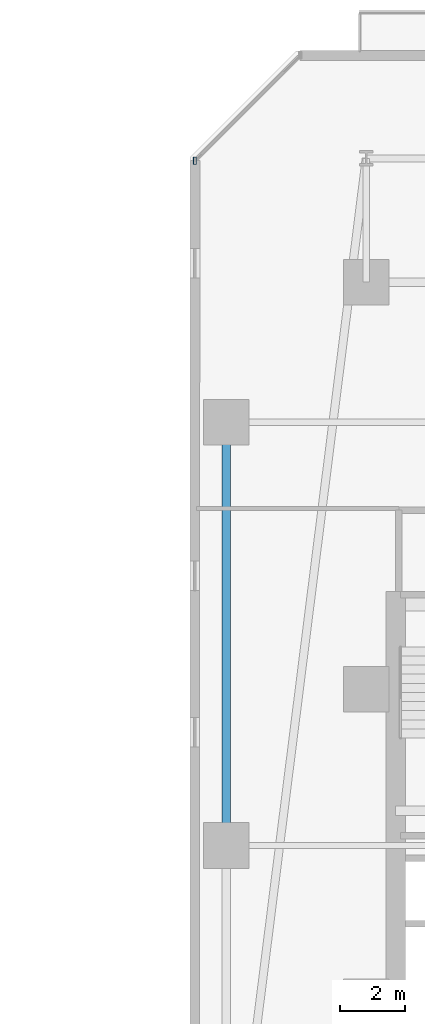
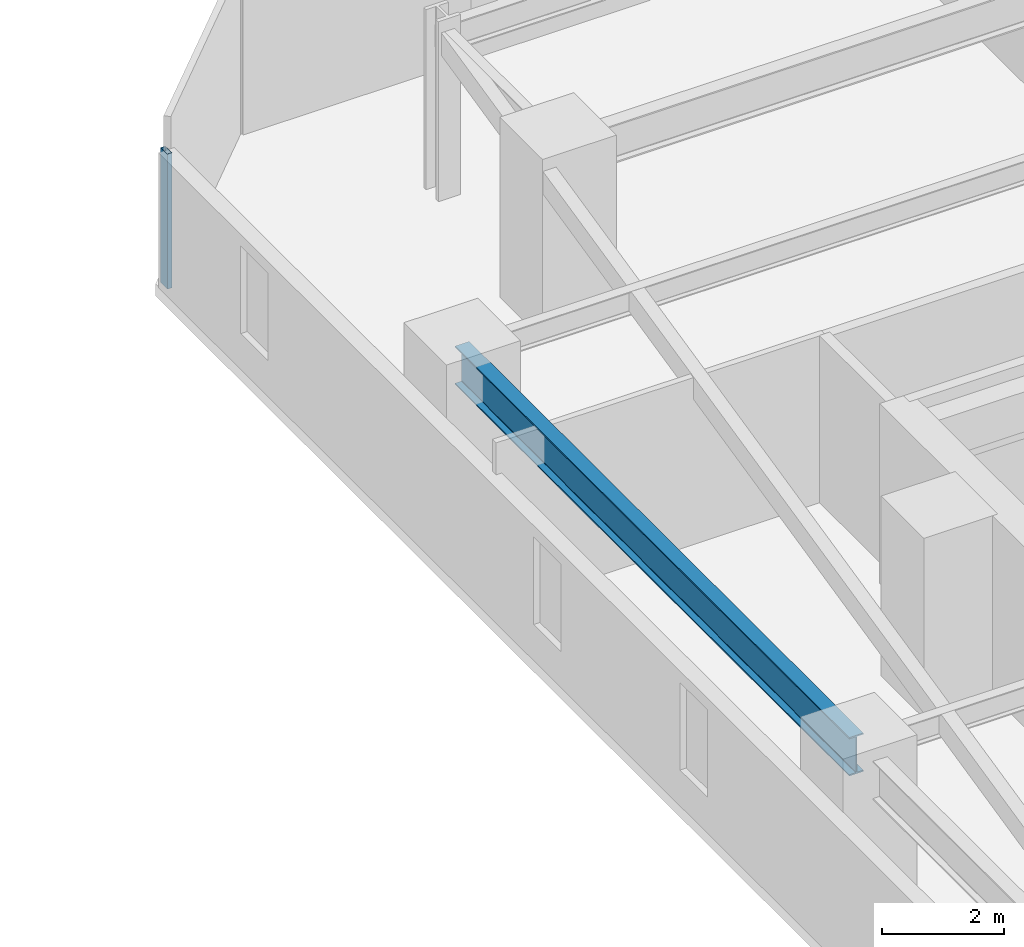
# One storey, part 11 of 34: 1 beam, 1 member, 1 element without a shape of its own.
"""IFC4 building model written with IfcOpenShell, lengths in metres."""

from ifc_helpers import new_model, si_unit, direction, frame, origin, origin_2d, place, context, subcontext, project, spatial, hollow_rectangle, i_section, extrude, material, material_profile, profile_set, type_object, element, aggregate, save


model = new_model("IFC4")

# Units and contexts
model_context = context("Model", 3, precision=1e-05, world=origin(), true_north=direction((0.0, 1.0)))
body_context = subcontext(model_context, "Body", "Model", "MODEL_VIEW")
ifc_project = project(units=[si_unit("LENGTHUNIT", "METRE"), si_unit("AREAUNIT", "SQUARE_METRE"), si_unit("VOLUMEUNIT", "CUBIC_METRE"), si_unit("PLANEANGLEUNIT", "RADIAN"), si_unit("MASSUNIT", "GRAM", prefix="KILO")], contexts=[model_context])

# Site, building, storey
site_placement = place(None, origin())
site = spatial("IfcSite", under=ifc_project, at=site_placement, CompositionType="ELEMENT")
building_placement = place(site_placement, origin())
building = spatial("IfcBuilding", under=site, at=building_placement, Name="Thornwick Lancets Civic Towers", CompositionType="ELEMENT")
storey_placement = place(building_placement, frame((0.0, 0.0, 60.89990234375)))
storey = spatial("IfcBuildingStorey", under=building, at=storey_placement, Name="L15", CompositionType="ELEMENT", Elevation=60.89990234375)

# Beam
ifc_material_1 = material(Name="Steel S355JR", Category="steel")
ifc_material_profile_1 = material_profile(ifc_material_1, i_section(OverallWidth=0.26806640625, OverallDepth=0.769775390625, WebThickness=0.015625, FlangeThickness=0.025390625, FilletRadius=0.0166015625, at=origin_2d()), Name="UKB 762x267x197")
ifc_profile_set_1 = profile_set([ifc_material_profile_1], Name="Steel S355JR")
beam_type = type_object("IfcBeamType", Name="BM_GIRD_762_197", PredefinedType="BEAM", material=ifc_profile_set_1)
beam_placement = place(storey_placement, frame((71.199951171875, 27.080078125, 2.97509765625), z_axis=(0.0, 1.0, 0.0), x_axis=(-1.0, 0.0, 0.0)))
element("IfcBeam", 1, at=beam_placement, inside=storey, type_object=beam_type, Name="BM-SPINE-L15-B-7-8", PredefinedType="BEAM", context=body_context, shape_type="SweptSolid", body=[
    extrude(i_section(OverallWidth=0.26806640625, OverallDepth=0.769775390625, WebThickness=0.015625, FlangeThickness=0.025390625, FilletRadius=0.0166015625, at=origin_2d()), origin(), (0.0, 0.0, 1.0), 12.919921875),
])

# Curtain wall, member
ifc_material_2 = material(Name="Low-zone chamfered-corner unitised glass curtain wall", Category="glass")
curtain_wall_type = type_object("IfcCurtainWallType", Name="CW_SYS_03", PredefinedType="NOTDEFINED", material=ifc_material_2)
curtain_wall_placement = place(storey_placement, origin())
curtain_wall = element("IfcCurtainWall", 2, at=curtain_wall_placement, inside=storey, type_object=curtain_wall_type, Name="L15 Curtain Wall CW-L15-B-E5", PredefinedType="NOTDEFINED")
ifc_material_3 = material(Name="Thermally broken bronze aluminium S355", Category="steel")
ifc_material_profile_2 = material_profile(ifc_material_3, hollow_rectangle(XDim=0.090087890625, YDim=0.219970703125, WallThickness=0.00634765625, at=origin_2d()), Name="RHS 220x90x6.3")
ifc_profile_set_2 = profile_set([ifc_material_profile_2], Name="Thermally broken bronze aluminium S355")
member_type = type_object("IfcMemberType", Name="CW_MUL_220", PredefinedType="MULLION", material=ifc_profile_set_2)
member_placement = place(storey_placement, frame((70.2373046875, 48.028564453125, 0.0), z_axis=(0.0, 0.0, 1.0), x_axis=(1.0, 0.0, 0.0)))
member = element("IfcMember", 3, at=member_placement, type_object=member_type, Name="CW-L15-B-E5 Mullion 1", PredefinedType="MULLION", context=body_context, shape_type="SweptSolid", body=[
    extrude(hollow_rectangle(XDim=0.090087890625, YDim=0.219970703125, WallThickness=0.00634765625, at=origin_2d()), origin(), (0.0, 0.0, 1.0), 2.7001953125),
])
aggregate(curtain_wall, [member])

save(model, "model.ifc")
